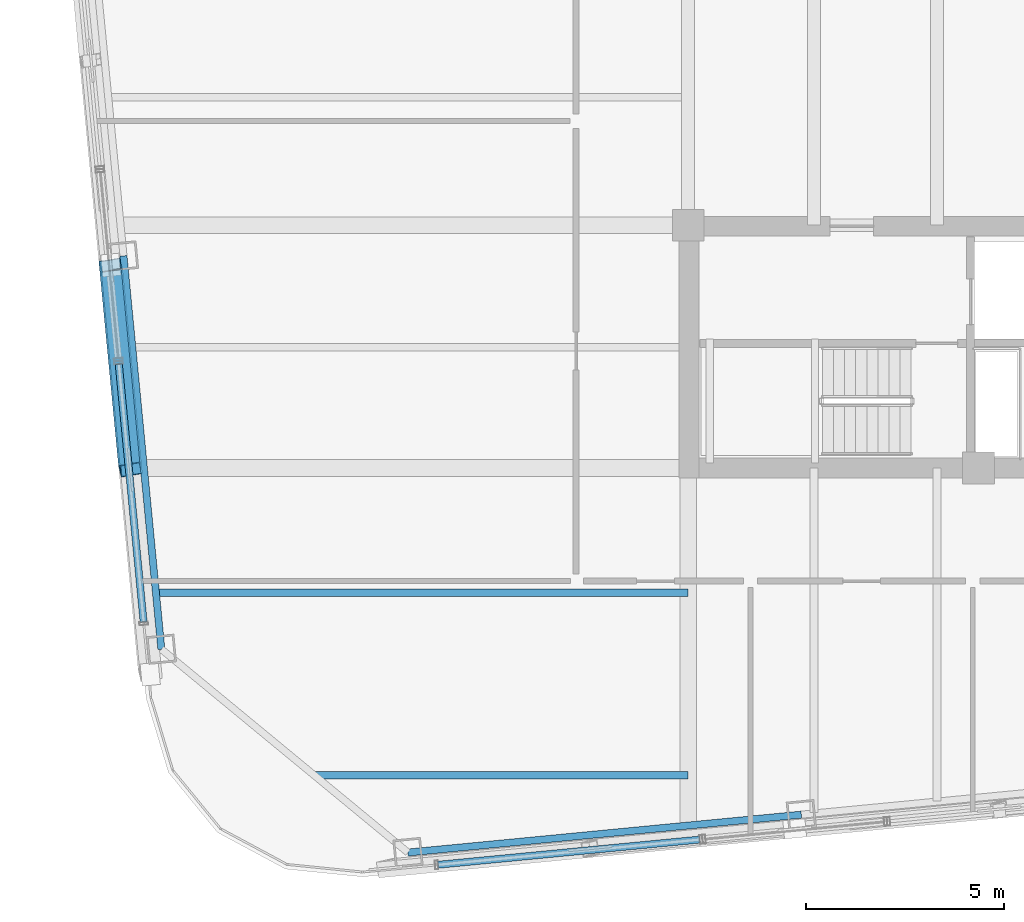
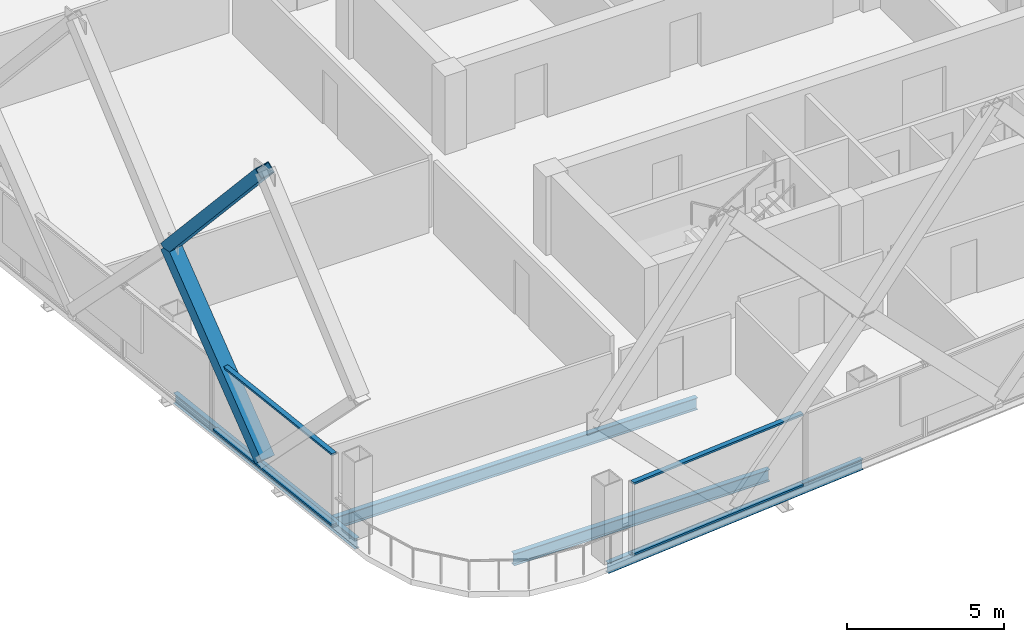
# One storey, part 3 of 34: 6 members, 4 beams, 2 elements without a shape of their own.
"""IFC4 building model written with IfcOpenShell, lengths in metres."""

from ifc_helpers import new_model, si_unit, direction, frame, origin, origin_2d, place, context, subcontext, project, spatial, hollow_rectangle, i_section, extrude, material, layer, layer_set, material_profile, profile_set, type_object, element, aggregate, save


model = new_model("IFC4")

# Units and contexts
model_context = context("Model", 3, precision=1e-05, world=origin(), true_north=direction((0.0, 1.0)))
body_context = subcontext(model_context, "Body", "Model", "MODEL_VIEW")
ifc_project = project(units=[si_unit("LENGTHUNIT", "METRE"), si_unit("AREAUNIT", "SQUARE_METRE"), si_unit("VOLUMEUNIT", "CUBIC_METRE"), si_unit("PLANEANGLEUNIT", "RADIAN"), si_unit("MASSUNIT", "GRAM", prefix="KILO")], contexts=[model_context])

# Site, building, storey
site_placement = place(None, origin())
site = spatial("IfcSite", under=ifc_project, at=site_placement, CompositionType="ELEMENT")
building_placement = place(site_placement, origin())
building = spatial("IfcBuilding", under=site, at=building_placement, Name="Qhalaya Broadcast Tower", CompositionType="ELEMENT")
storey_placement = place(building_placement, frame((0.0, 0.0, 168.35009765625)))
storey = spatial("IfcBuildingStorey", under=building, at=storey_placement, Name="L49", CompositionType="ELEMENT", Elevation=168.35009765625)

# Beams
ifc_material_1 = material(Name="Structural Steel ASTM A992 Grade 50", Category="steel")
ifc_material_profile_1 = material_profile(ifc_material_1, i_section(OverallWidth=0.19189453125, OverallDepth=0.462890625, WebThickness=0.010498046875, FlangeThickness=0.017578125, at=origin_2d()), Name="W18X60")
ifc_profile_set_1 = profile_set([ifc_material_profile_1], Name="Structural Steel ASTM A992 Grade 50")
beam_type_1 = type_object("IfcBeamType", Name="Composite Floor Joist J03", PredefinedType="JOIST", material=ifc_profile_set_1)
beam_1_placement = place(storey_placement, frame((-18.7734375, -16.5, -0.45166015625), z_axis=(1.0, 0.0, 0.0), x_axis=(0.0, 1.0, 0.0)))
element("IfcBeam", 1, at=beam_1_placement, inside=storey, type_object=beam_type_1, Name="L49 J03 L49-JWE1W-1", PredefinedType="JOIST", context=body_context, shape_type="SweptSolid", body=[
    extrude(i_section(OverallWidth=0.19189453125, OverallDepth=0.462890625, WebThickness=0.010498046875, FlangeThickness=0.017578125, at=origin_2d()), origin(), (0.0, 0.0, 1.0), 9.3984375),
])
beam_2_placement = place(storey_placement, frame((-22.77880859375, -11.89990234375, -0.45166015625), z_axis=(1.0, 0.0, 0.0), x_axis=(0.0, 1.0, 0.0)))
element("IfcBeam", 2, at=beam_2_placement, inside=storey, type_object=beam_type_1, Name="L49 J03 L49-JWE2W-1", PredefinedType="JOIST", context=body_context, shape_type="SweptSolid", body=[
    extrude(i_section(OverallWidth=0.19189453125, OverallDepth=0.462890625, WebThickness=0.010498046875, FlangeThickness=0.017578125, at=origin_2d()), origin(), (0.0, 0.0, 1.0), 13.40380859375),
])

# Members
ifc_material_2 = material(Name="Structural Steel ASTM A572 Grade 50", Category="steel")
ifc_material_profile_2 = material_profile(ifc_material_2, hollow_rectangle(XDim=0.39990234375, YDim=0.550048828125, WallThickness=0.02490234375, at=origin_2d()), Name="BOX 400x550x25")
ifc_profile_set_2 = profile_set([ifc_material_profile_2], Name="Structural Steel ASTM A572 Grade 50")
member_type_1 = type_object("IfcMemberType", Name="Exoskeleton Diamond Diagonal Mid-High EX3", PredefinedType="BRACE", material=ifc_profile_set_2)
member_1_placement = place(storey_placement, frame((-23.439697265625, -8.790771484375, 0.35986328125), z_axis=(-0.066502760768, 0.690615647814, 0.72015790616), x_axis=(0.164114880845, -0.704354882738, 0.690616033009)))
element("IfcMember", 3, at=member_1_placement, inside=storey, type_object=member_type_1, Name="B4 Exoskeleton Diamond Brace W3-D1", PredefinedType="BRACE", context=body_context, shape_type="SweptSolid", body=[
    extrude(hollow_rectangle(XDim=0.39990234375, YDim=0.550048828125, WallThickness=0.02490234375, at=origin_2d()), origin(), (0.0, 0.0, 1.0), 7.470703125),
])
member_2_placement = place(storey_placement, frame((-23.9365234375, -3.63134765625, 5.739990234375), z_axis=(0.063505717979, -0.659492058015, 0.749024198007), x_axis=(-0.166869020586, 0.73295598109, 0.65949242585)))
element("IfcMember", 4, at=member_2_placement, inside=storey, type_object=member_type_1, Name="B4 Exoskeleton Diamond Brace W3-D3", PredefinedType="BRACE", context=body_context, shape_type="SweptSolid", body=[
    extrude(hollow_rectangle(XDim=0.39990234375, YDim=0.550048828125, WallThickness=0.02490234375, at=origin_2d()), origin(), (0.0, 0.0, 1.0), 7.8232421875),
])

# Curtain wall, members
ifc_material_3 = material(Name="Fired Architectural Terracotta", Category="masonry")
ifc_layer = layer(ifc_material_3, 0.219970703125, Name="Fired Architectural Terracotta")
ifc_layer_set = layer_set([ifc_layer], Name="Fired Architectural Terracotta")
curtain_wall_type = type_object("IfcCurtainWallType", Name="Block-Cap Unitised Terracotta Spandrel Wall CW-07", PredefinedType="NOTDEFINED", material=ifc_layer_set)
curtain_wall_1_placement = place(storey_placement, origin())
curtain_wall_1 = element("IfcCurtainWall", 5, at=curtain_wall_1_placement, inside=storey, type_object=curtain_wall_type, Name="L49 Unitised Curtain Wall L49-CW-S1", PredefinedType="NOTDEFINED")
ifc_material_4 = material(Name="Anodised Aluminium 6063-T6", Category="aluminium")
ifc_material_profile_3 = material_profile(ifc_material_4, hollow_rectangle(XDim=0.074951171875, YDim=0.179931640625, WallThickness=0.00390625, at=origin_2d()), Name="ALU-TRN 75x180x4")
ifc_profile_set_3 = profile_set([ifc_material_profile_3], Name="Anodised Aluminium 6063-T6")
member_type_2 = type_object("IfcMemberType", Name="Unitised Curtain-Wall Transom T01", PredefinedType="USERDEFINED", material=ifc_profile_set_3)
member_3_placement = place(storey_placement, frame((-15.683837890625, -18.756591796875, 0.037353515625), z_axis=(0.995395457973, 0.095853441497, 0.0), x_axis=(0.0, 0.0, 1.0)))
member_3 = element("IfcMember", 6, at=member_3_placement, type_object=member_type_2, Name="CW-07 transom 1.1", ObjectType="TRANSOM", PredefinedType="USERDEFINED", context=body_context, shape_type="SweptSolid", body=[
    extrude(hollow_rectangle(XDim=0.074951171875, YDim=0.179931640625, WallThickness=0.00390625, at=origin_2d()), origin(), (0.0, 0.0, 1.0), 6.6298828125),
])
member_4_placement = place(storey_placement, frame((-15.683837890625, -18.756591796875, 2.79248046875), z_axis=(0.995395457973, 0.095853441497, 0.0), x_axis=(0.0, 0.0, 1.0)))
member_4 = element("IfcMember", 7, at=member_4_placement, type_object=member_type_2, Name="CW-07 transom 1.2", ObjectType="TRANSOM", PredefinedType="USERDEFINED", context=body_context, shape_type="SweptSolid", body=[
    extrude(hollow_rectangle(XDim=0.074951171875, YDim=0.179931640625, WallThickness=0.00390625, at=origin_2d()), origin(), (0.0, 0.0, 1.0), 6.6298828125),
])
aggregate(curtain_wall_1, [member_3, member_4])

curtain_wall_2_placement = place(storey_placement, origin())
curtain_wall_2 = element("IfcCurtainWall", 8, at=curtain_wall_2_placement, inside=storey, type_object=curtain_wall_type, Name="L49 Unitised Curtain Wall L49-CW-W5", PredefinedType="NOTDEFINED")
member_5_placement = place(storey_placement, frame((-23.736328125, -6.129150390625, 0.037353515625), z_axis=(0.095845499178, -0.995396222761, 0.0), x_axis=(0.0, 0.0, 1.0)))
member_5 = element("IfcMember", 9, at=member_5_placement, type_object=member_type_2, Name="CW-07 transom 1.1", ObjectType="TRANSOM", PredefinedType="USERDEFINED", context=body_context, shape_type="SweptSolid", body=[
    extrude(hollow_rectangle(XDim=0.074951171875, YDim=0.179931640625, WallThickness=0.00390625, at=origin_2d()), origin(), (0.0, 0.0, 1.0), 6.5361328125),
])
member_6_placement = place(storey_placement, frame((-23.736328125, -6.129150390625, 2.79248046875), z_axis=(0.095845499178, -0.995396222761, 0.0), x_axis=(0.0, 0.0, 1.0)))
member_6 = element("IfcMember", 10, at=member_6_placement, type_object=member_type_2, Name="CW-07 transom 1.2", ObjectType="TRANSOM", PredefinedType="USERDEFINED", context=body_context, shape_type="SweptSolid", body=[
    extrude(hollow_rectangle(XDim=0.074951171875, YDim=0.179931640625, WallThickness=0.00390625, at=origin_2d()), origin(), (0.0, 0.0, 1.0), 6.5361328125),
])
aggregate(curtain_wall_2, [member_5, member_6])

# Beams
ifc_material_profile_4 = material_profile(ifc_material_1, i_section(OverallWidth=0.177978515625, OverallDepth=0.406005859375, WebThickness=0.0078125, FlangeThickness=0.0126953125, at=origin_2d()), Name="W16X40")
ifc_profile_set_4 = profile_set([ifc_material_profile_4], Name="Structural Steel ASTM A992 Grade 50")
beam_type_2 = type_object("IfcBeamType", Name="Upper Perimeter Spandrel Beam SP2", PredefinedType="SPANDREL", material=ifc_profile_set_4)
for number, where, z_axis, x_axis, name in (
    (11, (-16.44189453125, -18.44775390625, -0.423095703125), (0.995397846936, 0.09582862993, 0.0), (-0.09582862993, 0.995397846936, 0.0), "L49 SP2 L49-SPR-01"),
    (12, (-23.6171875, -3.399658203125, -0.423095703125), (0.09582862993, -0.995397846936, 0.0), (0.995397846936, 0.09582862993, 0.0), "L49 SP2 L49-SPR-15"),
):
    element("IfcBeam", number, at=place(storey_placement, frame(where, z_axis=z_axis, x_axis=x_axis)), inside=storey, type_object=beam_type_2, Name=name, PredefinedType="SPANDREL", context=body_context, shape_type="SweptSolid", body=[
        extrude(i_section(OverallWidth=0.177978515625, OverallDepth=0.406005859375, WebThickness=0.0078125, FlangeThickness=0.0126953125, at=origin_2d()), origin(), (0.0, 0.0, 1.0), 9.966552734375),
    ])

save(model, "model.ifc")
